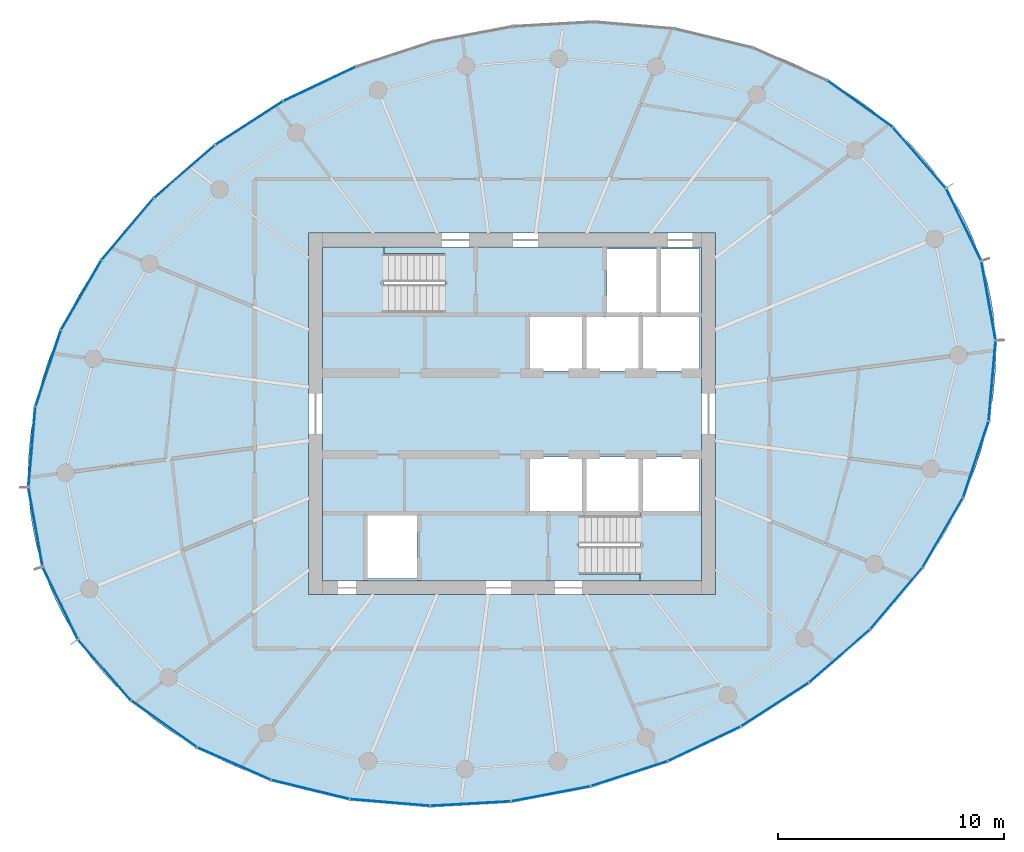
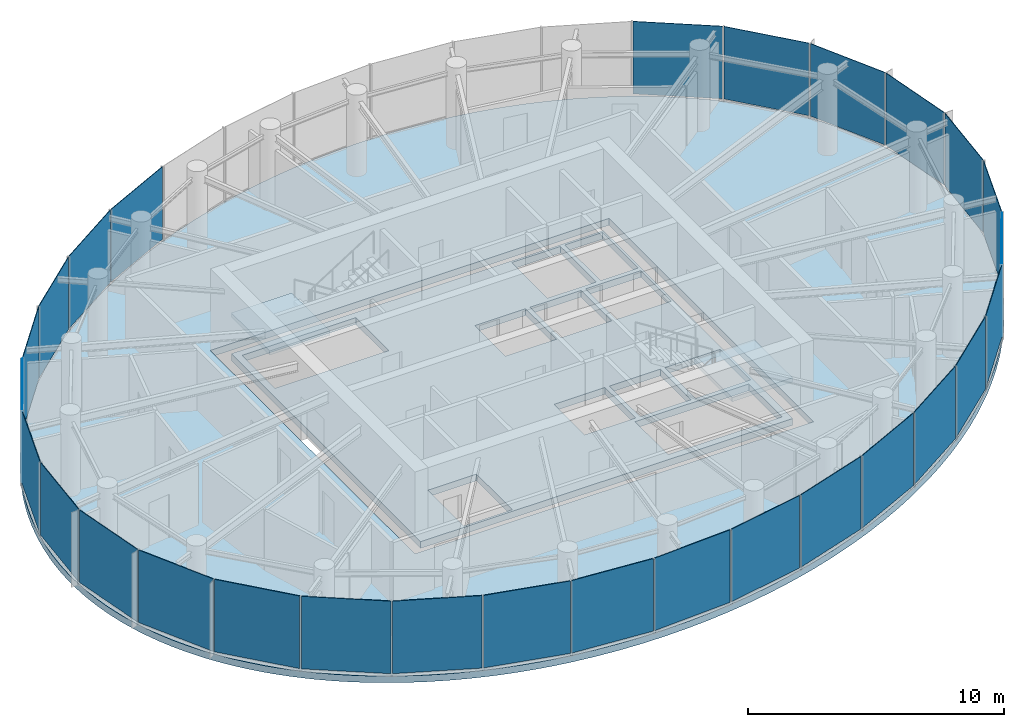
# One storey, part 7 of 13: 28 plates, 4 slabs, 8 elements without a shape of their own.
"""IFC4 building model written with IfcOpenShell, lengths in metres."""

from ifc_helpers import new_model, si_unit, direction, frame, origin, origin_2d, place, context, subcontext, project, spatial, line, indexed_curve, rectangle, outline, extrude, source, transform, mapped, material, layer, layer_set, type_object, element, aggregate, save


model = new_model("IFC4")

# Units and contexts
model_context = context("Model", 3, precision=1e-05, world=origin(), true_north=direction((0.0, 1.0)))
body_context = subcontext(model_context, "Body", "Model", "MODEL_VIEW")
ifc_project = project(units=[si_unit("LENGTHUNIT", "METRE"), si_unit("AREAUNIT", "SQUARE_METRE"), si_unit("VOLUMEUNIT", "CUBIC_METRE"), si_unit("PLANEANGLEUNIT", "RADIAN"), si_unit("MASSUNIT", "GRAM", prefix="KILO")], contexts=[model_context])

# Site, building, storey
site_placement = place(None, origin())
site = spatial("IfcSite", under=ifc_project, at=site_placement, CompositionType="ELEMENT")
building_placement = place(site_placement, origin())
building = spatial("IfcBuilding", under=site, at=building_placement, Name="Spindrift Exchange Tower", CompositionType="ELEMENT")
storey_placement = place(building_placement, frame((0.0, 0.0, 250.10009765625)))
storey = spatial("IfcBuildingStorey", under=building, at=storey_placement, Name="L61", CompositionType="ELEMENT", Elevation=250.10009765625)

# Slabs
ifc_material_1 = material(Name="Concrete 40 MPa", Category="concrete")
ifc_layer_1 = layer(ifc_material_1, 0.320068359375)
ifc_layer_set_1 = layer_set([ifc_layer_1], Name="RC Floor Slab 320 Concrete 40 MPa")
slab_type_1 = type_object("IfcSlabType", Name="RC Floor Slab 320 Concrete 40 MPa", PredefinedType="FLOOR", material=ifc_layer_set_1)
slab_1_placement = place(storey_placement, frame((0.0, 0.0, -0.320068359375)))
element("IfcSlab", 1, at=slab_1_placement, inside=storey, type_object=slab_type_1, Name="Floor slab L61", PredefinedType="FLOOR", context=body_context, shape_type="SweptSolid", body=[
    extrude(outline(indexed_curve([(72.784423828125, 54.77099609375), (72.67529296875, 55.091796875), (72.431884765625, 55.724609375), (72.15576171875, 56.343505859375), (71.847900390625, 56.947509765625), (71.509521484375, 57.53466796875), (71.329345703125, 57.82177734375), (70.947509765625, 58.381591796875), (70.74609375, 58.654541015625), (70.32421875, 59.184814453125), (69.876953125, 59.694091796875), (69.64453125, 59.94091796875), (69.162841796875, 60.417724609375), (68.66015625, 60.872314453125), (68.4013671875, 61.09130859375), (67.869873046875, 61.511962890625), (67.3212890625, 61.909912109375), (66.756591796875, 62.28466796875), (66.468505859375, 62.463623046875), (65.882568359375, 62.80419921875), (65.584716796875, 62.966064453125), (64.980224609375, 63.27294921875), (64.674072265625, 63.41796875), (64.0537109375, 63.691162109375), (63.739990234375, 63.819580078125), (63.106201171875, 64.06005859375), (62.786376953125, 64.172119140625), (62.141357421875, 64.380615234375), (61.81640625, 64.476806640625), (61.162109375, 64.65380859375), (60.50244140625, 64.81005859375), (60.1708984375, 64.880615234375), (59.83837890625, 64.9462890625), (59.170654296875, 65.062744140625), (58.163330078125, 65.20068359375), (57.151123046875, 65.2958984375), (56.1357421875, 65.349365234375), (55.119140625, 65.362060546875), (54.102783203125, 65.334716796875), (53.088134765625, 65.268310546875), (52.076904296875, 65.163818359375), (51.070068359375, 65.021728515625), (50.069091796875, 64.843017578125), (49.075439453125, 64.627685546875), (48.41748046875, 64.464599609375), (47.763671875, 64.28564453125), (46.79150390625, 63.988037109375), (45.83056640625, 63.65576171875), (45.19677734375, 63.415283203125), (44.569091796875, 63.15966796875), (43.63916015625, 62.748291015625), (42.72509765625, 62.30322265625), (41.82763671875, 61.824951171875), (40.948974609375, 61.313720703125), (40.08984375, 60.769775390625), (39.25244140625, 60.193115234375), (38.4384765625, 59.583984375), (37.6494140625, 58.942626953125), (36.887451171875, 58.26953125), (36.15478515625, 57.564697265625), (35.91748046875, 57.322509765625), (35.45361328125, 56.828369140625), (35.0048828125, 56.3203125), (34.786376953125, 56.06103515625), (34.36181640625, 55.53271484375), (34.156005859375, 55.263427734375), (33.75732421875, 54.715087890625), (33.56494140625, 54.436279296875), (33.194580078125, 53.86865234375), (33.0166015625, 53.580078125), (32.843994140625, 53.288330078125), (32.51416015625, 52.6962890625), (32.206298828125, 52.09228515625), (32.06103515625, 51.7861328125), (31.7880859375, 51.16552734375), (31.5400390625, 50.534912109375), (31.425537109375, 50.2158203125), (31.21630859375, 49.571044921875), (31.03466796875, 48.918212890625), (30.954345703125, 48.5888671875), (30.81591796875, 47.92529296875), (30.707763671875, 47.256103515625), (30.665283203125, 46.919921875), (30.60400390625, 46.244873046875), (30.5751953125, 45.567626953125), (30.5732421875, 45.228759765625), (30.594482421875, 44.55126953125), (30.617919921875, 44.213134765625), (30.6904296875, 43.539306640625), (30.79736328125, 42.8701171875), (30.93896484375, 42.20703125), (31.022705078125, 41.878662109375), (31.215576171875, 41.22900390625), (31.32470703125, 40.908203125), (31.568115234375, 40.275390625), (31.84423828125, 39.656494140625), (32.152099609375, 39.052490234375), (32.490478515625, 38.46533203125), (32.670654296875, 38.17822265625), (33.052490234375, 37.618408203125), (33.25390625, 37.345458984375), (33.67578125, 36.815185546875), (34.123046875, 36.305908203125), (34.35546875, 36.05908203125), (34.837158203125, 35.582275390625), (35.33984375, 35.127685546875), (35.5986328125, 34.90869140625), (36.130126953125, 34.488037109375), (36.6787109375, 34.090087890625), (37.243408203125, 33.71533203125), (37.531494140625, 33.536376953125), (38.117431640625, 33.19580078125), (38.415283203125, 33.033935546875), (39.019775390625, 32.72705078125), (39.325927734375, 32.58203125), (39.9462890625, 32.308837890625), (40.260009765625, 32.180419921875), (40.893798828125, 31.93994140625), (41.213623046875, 31.827880859375), (41.858642578125, 31.619384765625), (42.18359375, 31.523193359375), (42.837890625, 31.34619140625), (43.49755859375, 31.18994140625), (43.8291015625, 31.119384765625), (44.16162109375, 31.0537109375), (44.829345703125, 30.937255859375), (45.836669921875, 30.79931640625), (46.848876953125, 30.7041015625), (47.8642578125, 30.650634765625), (48.880859375, 30.637939453125), (49.897216796875, 30.665283203125), (50.911865234375, 30.731689453125), (51.923095703125, 30.836181640625), (52.929931640625, 30.978271484375), (53.930908203125, 31.156982421875), (54.924560546875, 31.372314453125), (55.58251953125, 31.535400390625), (56.236328125, 31.71435546875), (57.20849609375, 32.011962890625), (58.16943359375, 32.34423828125), (58.80322265625, 32.584716796875), (59.430908203125, 32.84033203125), (60.36083984375, 33.251708984375), (61.27490234375, 33.69677734375), (62.17236328125, 34.175048828125), (63.051025390625, 34.686279296875), (63.91015625, 35.230224609375), (64.74755859375, 35.806884765625), (65.5615234375, 36.416015625), (66.3505859375, 37.057373046875), (67.112548828125, 37.73046875), (67.84521484375, 38.435302734375), (68.08251953125, 38.677490234375), (68.54638671875, 39.171630859375), (68.9951171875, 39.6796875), (69.213623046875, 39.93896484375), (69.63818359375, 40.46728515625), (69.843994140625, 40.736572265625), (70.24267578125, 41.284912109375), (70.43505859375, 41.563720703125), (70.805419921875, 42.13134765625), (70.9833984375, 42.419921875), (71.323486328125, 43.006103515625), (71.48583984375, 43.3037109375), (71.793701171875, 43.90771484375), (71.93896484375, 44.2138671875), (72.2119140625, 44.83447265625), (72.4599609375, 45.465087890625), (72.574462890625, 45.7841796875), (72.78369140625, 46.428955078125), (72.96533203125, 47.081787109375), (73.045654296875, 47.4111328125), (73.18408203125, 48.07470703125), (73.292236328125, 48.743896484375), (73.334716796875, 49.080078125), (73.39599609375, 49.755126953125), (73.4248046875, 50.432373046875), (73.4267578125, 50.771240234375), (73.405517578125, 51.44873046875), (73.382080078125, 51.786865234375), (73.3095703125, 52.460693359375), (73.20263671875, 53.1298828125), (73.06103515625, 53.79296875), (72.977294921875, 54.121337890625)], segments=[line(1, 2, 3, 4, 5, 6, 7, 8, 9, 10, 11, 12, 13, 14, 15, 16, 17, 18, 19, 20, 21, 22, 23, 24, 25, 26, 27, 28, 29, 30, 31, 32, 33, 34, 35, 36, 37, 38, 39, 40, 41, 42, 43, 44, 45, 46, 47, 48, 49, 50, 51, 52, 53, 54, 55, 56, 57, 58, 59, 60, 61, 62, 63, 64, 65, 66, 67, 68, 69, 70, 71, 72, 73, 74, 75, 76, 77, 78, 79, 80, 81, 82, 83, 84, 85, 86, 87, 88, 89, 90, 91, 92, 93, 94, 95, 96, 97, 98, 99, 100, 101, 102, 103, 104, 105, 106, 107, 108, 109, 110, 111, 112, 113, 114, 115, 116, 117, 118, 119, 120, 121, 122, 123, 124, 125, 126, 127, 128, 129, 130, 131, 132, 133, 134, 135, 136, 137, 138, 139, 140, 141, 142, 143, 144, 145, 146, 147, 148, 149, 150, 151, 152, 153, 154, 155, 156, 157, 158, 159, 160, 161, 162, 163, 164, 165, 166, 167, 168, 169, 170, 171, 172, 173, 174, 175, 176, 177, 178, 179, 180, 181, 182, 183, 184, 1)], self_intersect=False), holes=[indexed_curve([(43.0, 40.0), (61.0, 40.0), (61.0, 56.0), (43.0, 56.0)], segments=[line(1, 2, 3, 4, 1)], self_intersect=False)]), origin(), (0.0, 0.0, 1.0), 0.320068359375),
])
ifc_material_2 = material(Name="Concrete 50 MPa", Category="concrete")
ifc_layer_2 = layer(ifc_material_2, 0.320068359375)
ifc_layer_set_2 = layer_set([ifc_layer_2], Name="SL-CORE-FLOOR-320")
slab_type_2 = type_object("IfcSlabType", Name="SL-CORE-FLOOR-320", PredefinedType="FLOOR", material=ifc_layer_set_2)
slab_2_placement = place(storey_placement, frame((0.0, 0.0, -0.320068359375)))
element("IfcSlab", 2, at=slab_2_placement, inside=storey, type_object=slab_type_2, Name="L61 Core floor slab", PredefinedType="FLOOR", context=body_context, shape_type="SweptSolid", body=[
    extrude(outline(indexed_curve([(43.60009765625, 40.60009765625), (43.60009765625, 55.39990234375), (60.39990234375, 55.39990234375), (60.39990234375, 40.60009765625)], segments=[line(1, 2, 3, 4, 1)], self_intersect=False), holes=[indexed_curve([(45.60009765625, 43.5), (45.60009765625, 40.699951171875), (47.800048828125, 40.699951171875), (47.800048828125, 43.5)], segments=[line(1, 2, 3, 4, 1)], self_intersect=False), indexed_curve([(52.800048828125, 46.10009765625), (52.800048828125, 43.699951171875), (55.10009765625, 43.699951171875), (55.10009765625, 46.10009765625)], segments=[line(1, 2, 3, 4, 1)], self_intersect=False), indexed_curve([(55.300048828125, 46.10009765625), (55.300048828125, 43.699951171875), (57.60009765625, 43.699951171875), (57.60009765625, 46.10009765625)], segments=[line(1, 2, 3, 4, 1)], self_intersect=False), indexed_curve([(55.10009765625, 52.300048828125), (52.800048828125, 52.300048828125), (52.800048828125, 49.89990234375), (55.10009765625, 49.89990234375)], segments=[line(1, 2, 3, 4, 1)], self_intersect=False), indexed_curve([(57.60009765625, 52.300048828125), (55.300048828125, 52.300048828125), (55.300048828125, 49.89990234375), (57.60009765625, 49.89990234375)], segments=[line(1, 2, 3, 4, 1)], self_intersect=False), indexed_curve([(43.906005859375, 52.506103515625), (49.0439453125, 52.506103515625), (49.0439453125, 55.093994140625), (43.906005859375, 55.093994140625)], segments=[line(1, 2, 3, 4, 1)], self_intersect=False), indexed_curve([(60.093994140625, 40.906005859375), (60.093994140625, 43.493896484375), (54.9560546875, 43.493896484375), (54.9560546875, 40.906005859375)], segments=[line(1, 2, 3, 4, 1)], self_intersect=False), indexed_curve([(60.300048828125, 46.10009765625), (57.800048828125, 46.10009765625), (57.800048828125, 43.699951171875), (60.300048828125, 43.699951171875)], segments=[line(1, 2, 3, 4, 1)], self_intersect=False), indexed_curve([(57.800048828125, 52.300048828125), (57.800048828125, 49.89990234375), (60.300048828125, 49.89990234375), (60.300048828125, 52.300048828125)], segments=[line(1, 2, 3, 4, 1)], self_intersect=False), indexed_curve([(58.39990234375, 55.300048828125), (56.199951171875, 55.300048828125), (56.199951171875, 52.5), (58.39990234375, 52.5)], segments=[line(1, 2, 3, 4, 1)], self_intersect=False), indexed_curve([(60.300048828125, 55.300048828125), (58.60009765625, 55.300048828125), (58.60009765625, 52.5), (60.300048828125, 52.5)], segments=[line(1, 2, 3, 4, 1)], self_intersect=False)]), origin(), (0.0, 0.0, 1.0), 0.320068359375),
])

# Stair, slab
stair_type = type_object("IfcStairType", Name="ST-1250-R177", PredefinedType="HALF_TURN_STAIR", material=ifc_material_2)
stair_1_placement = place(storey_placement, origin())
stair_1 = element("IfcStair", 3, at=stair_1_placement, inside=storey, type_object=stair_type, Name="L61 Exit stair ST1", PredefinedType="HALF_TURN_STAIR")
ifc_layer_3 = layer(ifc_material_2, 0.199951171875)
ifc_layer_set_3 = layer_set([ifc_layer_3], Name="SL-LANDING")
slab_type_3 = type_object("IfcSlabType", Name="SL-LANDING", PredefinedType="LANDING", material=ifc_layer_set_3)
slab_3_placement = place(storey_placement, frame((0.0, 0.0, 1.75)))
slab_3 = element("IfcSlab", 4, at=slab_3_placement, type_object=slab_type_3, Name="ST1 landing 1", PredefinedType="LANDING", context=body_context, shape_type="SweptSolid", body=[
    extrude(outline(indexed_curve([(46.330078125, 52.39990234375), (43.60009765625, 52.39990234375), (43.60009765625, 55.39990234375), (46.330078125, 55.39990234375)], segments=[line(1, 2, 3, 4, 1)], self_intersect=False)), origin(), (0.0, 0.0, 1.0), 0.199951171875),
])
aggregate(stair_1, [slab_3])

stair_2_placement = place(storey_placement, origin())
stair_2 = element("IfcStair", 5, at=stair_2_placement, inside=storey, type_object=stair_type, Name="L61 Exit stair ST2", PredefinedType="HALF_TURN_STAIR")
slab_4_placement = place(storey_placement, frame((0.0, 0.0, 1.75)))
slab_4 = element("IfcSlab", 6, at=slab_4_placement, type_object=slab_type_3, Name="ST2 landing 1", PredefinedType="LANDING", context=body_context, shape_type="SweptSolid", body=[
    extrude(outline(indexed_curve([(57.669921875, 43.60009765625), (60.39990234375, 43.60009765625), (60.39990234375, 40.60009765625), (57.669921875, 40.60009765625)], segments=[line(1, 2, 3, 4, 1)], self_intersect=False)), origin(), (0.0, 0.0, 1.0), 0.199951171875),
])
aggregate(stair_2, [slab_4])

# Curtain wall, plate
ifc_material_3 = material(Name="Fritted laminated glass with bronze frame", Category="glass")
ifc_layer_4 = layer(ifc_material_3, 0.159912109375)
ifc_layer_set_4 = layer_set([ifc_layer_4], Name="ZONE 5 BRONZE FRITTED WALL")
curtain_wall_type = type_object("IfcCurtainWallType", Name="ZONE 5 BRONZE FRITTED WALL", PredefinedType="NOTDEFINED", material=ifc_layer_set_4)
curtain_wall_1_placement = place(storey_placement, origin())
curtain_wall_1 = element("IfcCurtainWall", 7, at=curtain_wall_1_placement, inside=storey, type_object=curtain_wall_type, Name="L61 Zone 5 Bronze Fritted Wall run 2", PredefinedType="NOTDEFINED")
ifc_material_4 = material(Name="Bronze fritted laminated glass, open frit", Category="glass")
ifc_layer_5 = layer(ifc_material_4, 0.028076171875)
ifc_layer_set_5 = layer_set([ifc_layer_5], Name="ZONE 5 BRONZE FRITTED WALL PANEL OPEN FRIT 480")
plate_type_1 = type_object("IfcPlateType", Name="ZONE 5 BRONZE FRITTED WALL PANEL OPEN FRIT 480", PredefinedType="CURTAIN_PANEL", material=ifc_layer_set_5)
shared_shape_1 = source(origin(), body_context, "Body", "SweptSolid", [
    extrude(rectangle(XDim=3.52587890625, YDim=0.028076171875, at=origin_2d()), origin(), (0.0, 0.0, 1.0), 3.4599609375),
])
plate_1_placement = place(storey_placement, frame((40.3564453125, 60.871337890625, 0.119873046875), z_axis=(0.0, 0.0, 1.0), x_axis=(-0.839985609016, -0.542608677268, 0.0)))
plate_1 = element("IfcPlate", 8, at=plate_1_placement, type_object=plate_type_1, Name="L61 panel CW-5.11", PredefinedType="CURTAIN_PANEL", context=body_context, shape_type="MappedRepresentation", body=[
    mapped(shared_shape_1, transform((0.0, 0.0, 0.0), scale=1.0)),
])

# Curtain wall, plates
curtain_wall_2_placement = place(storey_placement, origin())
curtain_wall_2 = element("IfcCurtainWall", 9, at=curtain_wall_2_placement, inside=storey, type_object=curtain_wall_type, Name="L61 Zone 5 Bronze Fritted Wall run 5", PredefinedType="NOTDEFINED")
plate_2_placement = place(storey_placement, frame((63.6435546875, 35.128662109375, 0.119873046875), z_axis=(0.0, 0.0, 1.0), x_axis=(0.839985609016, 0.542608677268, 0.0)))
plate_2 = element("IfcPlate", 10, at=plate_2_placement, type_object=plate_type_1, Name="L61 panel CW-5.28", PredefinedType="CURTAIN_PANEL", context=body_context, shape_type="MappedRepresentation", body=[
    mapped(shared_shape_1, transform((0.0, 0.0, 0.0), scale=1.0)),
])
ifc_layer_6 = layer(ifc_material_4, 0.028076171875)
ifc_layer_set_6 = layer_set([ifc_layer_6], Name="ZONE 5 BRONZE FRITTED WALL PANEL OPEN FRIT 600")
plate_type_2 = type_object("IfcPlateType", Name="ZONE 5 BRONZE FRITTED WALL PANEL OPEN FRIT 600", PredefinedType="CURTAIN_PANEL", material=ifc_layer_set_6)
shared_shape_2 = source(origin(), body_context, "Body", "SweptSolid", [
    extrude(rectangle(XDim=3.526123046875, YDim=0.028076171875, at=origin_2d()), origin(), (0.0, 0.0, 1.0), 3.4599609375),
])
plate_3_placement = place(storey_placement, frame((53.724365234375, 31.17578125, 0.119873046875), z_axis=(0.0, 0.0, 1.0), x_axis=(0.982419783193, 0.186685215243, 0.0)))
plate_3 = element("IfcPlate", 11, at=plate_3_placement, type_object=plate_type_2, Name="L61 panel CW-5.25", PredefinedType="CURTAIN_PANEL", context=body_context, shape_type="MappedRepresentation", body=[
    mapped(shared_shape_2, transform((0.0, 0.0, 0.0), scale=1.0)),
])

# Plate
shared_shape_3 = source(origin(), body_context, "Body", "SweptSolid", [
    extrude(rectangle(XDim=3.525390625, YDim=0.028076171875, at=origin_2d()), origin(), (0.0, 0.0, 1.0), 3.4599609375),
])
plate_4_placement = place(storey_placement, frame((37.49560546875, 58.724609375, 0.119873046875), z_axis=(0.0, 0.0, 1.0), x_axis=(-0.75574489864, -0.654866129968, 0.0)))
plate_4 = element("IfcPlate", 12, at=plate_4_placement, type_object=plate_type_2, Name="L61 panel CW-5.12", PredefinedType="CURTAIN_PANEL", context=body_context, shape_type="MappedRepresentation", body=[
    mapped(shared_shape_3, transform((0.0, 0.0, 0.0), scale=1.0)),
])

# Curtain wall, plate
curtain_wall_3_placement = place(storey_placement, origin())
curtain_wall_3 = element("IfcCurtainWall", 13, at=curtain_wall_3_placement, inside=storey, type_object=curtain_wall_type, Name="L61 Zone 5 Bronze Fritted Wall run 4", PredefinedType="NOTDEFINED")
plate_5_placement = place(storey_placement, frame((46.595947265625, 30.789794921875, 0.119873046875), z_axis=(0.0, 0.0, 1.0), x_axis=(0.996463002829, -0.084032636481, 0.0)))
plate_5 = element("IfcPlate", 14, at=plate_5_placement, type_object=plate_type_2, Name="L61 panel CW-5.23", PredefinedType="CURTAIN_PANEL", context=body_context, shape_type="MappedRepresentation", body=[
    mapped(shared_shape_3, transform((0.0, 0.0, 0.0), scale=1.0)),
])

# Plate
plate_6_placement = place(storey_placement, frame((66.50439453125, 37.275390625, 0.119873046875), z_axis=(0.0, 0.0, 1.0), x_axis=(0.75574489864, 0.654866129968, 0.0)))
plate_6 = element("IfcPlate", 15, at=plate_6_placement, type_object=plate_type_2, Name="L61 panel CW-5.29", PredefinedType="CURTAIN_PANEL", context=body_context, shape_type="MappedRepresentation", body=[
    mapped(shared_shape_3, transform((0.0, 0.0, 0.0), scale=1.0)),
])

# Curtain wall, plate
curtain_wall_4_placement = place(storey_placement, origin())
curtain_wall_4 = element("IfcCurtainWall", 16, at=curtain_wall_4_placement, inside=storey, type_object=curtain_wall_type, Name="L61 Zone 5 Bronze Fritted Wall run 3", PredefinedType="NOTDEFINED")
shared_shape_4 = source(origin(), body_context, "Body", "SweptSolid", [
    extrude(rectangle(XDim=3.5234375, YDim=0.028076171875, at=origin_2d()), origin(), (0.0, 0.0, 1.0), 3.4599609375),
])
plate_7_placement = place(storey_placement, frame((32.927001953125, 53.26318359375, 0.119873046875), z_axis=(0.0, 0.0, 1.0), x_axis=(-0.501948565385, -0.864897472368, 0.0)))
plate_7 = element("IfcPlate", 17, at=plate_7_placement, type_object=plate_type_1, Name="L61 panel CW-5.14", PredefinedType="CURTAIN_PANEL", context=body_context, shape_type="MappedRepresentation", body=[
    mapped(shared_shape_4, transform((0.0, 0.0, 0.0), scale=1.0)),
])

# Plate
plate_8_placement = place(storey_placement, frame((39.6875, 32.51220703125, 0.119873046875), z_axis=(0.0, 0.0, 1.0), x_axis=(0.915078658027, -0.403275401709, 0.0)))
plate_8 = element("IfcPlate", 18, at=plate_8_placement, type_object=plate_type_1, Name="L61 panel CW-5.21", PredefinedType="CURTAIN_PANEL", context=body_context, shape_type="MappedRepresentation", body=[
    mapped(shared_shape_4, transform((0.0, 0.0, 0.0), scale=1.0)),
])

ifc_layer_7 = layer(ifc_material_4, 0.028076171875)
ifc_layer_set_7 = layer_set([ifc_layer_7], Name="ZONE 5 BRONZE FRITTED WALL PANEL OPEN FRIT 360")
plate_type_3 = type_object("IfcPlateType", Name="ZONE 5 BRONZE FRITTED WALL PANEL OPEN FRIT 360", PredefinedType="CURTAIN_PANEL", material=ifc_layer_set_7)
shared_shape_5 = source(origin(), body_context, "Body", "SweptSolid", [
    extrude(rectangle(XDim=3.521484375, YDim=0.028076171875, at=origin_2d()), origin(), (0.0, 0.0, 1.0), 3.4599609375),
])
plate_9_placement = place(storey_placement, frame((31.460693359375, 50.014892578125, 0.119873046875), z_axis=(0.0, 0.0, 1.0), x_axis=(-0.316596169299, -0.948560417467, 0.0)))
plate_9 = element("IfcPlate", 19, at=plate_9_placement, type_object=plate_type_3, Name="L61 panel CW-5.15", PredefinedType="CURTAIN_PANEL", context=body_context, shape_type="MappedRepresentation", body=[
    mapped(shared_shape_5, transform((0.0, 0.0, 0.0), scale=1.0)),
])

# Curtain wall, plate
curtain_wall_5_placement = place(storey_placement, origin())
curtain_wall_5 = element("IfcCurtainWall", 20, at=curtain_wall_5_placement, inside=storey, type_object=curtain_wall_type, Name="L61 Zone 5 Bronze Fritted Wall run 1", PredefinedType="NOTDEFINED")
shared_shape_6 = source(origin(), body_context, "Body", "SweptSolid", [
    extrude(rectangle(XDim=3.519287109375, YDim=0.028076171875, at=origin_2d()), origin(), (0.0, 0.0, 1.0), 3.4599609375),
])
plate_10_placement = place(storey_placement, frame((70.044921875, 59.338134765625, 0.119873046875), z_axis=(0.0, 0.0, 1.0), x_axis=(-0.656612083693, 0.75422846111, 0.0)))
plate_10 = element("IfcPlate", 21, at=plate_10_placement, type_object=plate_type_2, Name="L61 panel CW-5.2", PredefinedType="CURTAIN_PANEL", context=body_context, shape_type="MappedRepresentation", body=[
    mapped(shared_shape_6, transform((0.0, 0.0, 0.0), scale=1.0)),
])

# Plate
plate_11_placement = place(storey_placement, frame((33.955078125, 36.661865234375, 0.119873046875), z_axis=(0.0, 0.0, 1.0), x_axis=(0.656612083693, -0.75422846111, 0.0)))
plate_11 = element("IfcPlate", 22, at=plate_11_placement, type_object=plate_type_2, Name="L61 panel CW-5.19", PredefinedType="CURTAIN_PANEL", context=body_context, shape_type="MappedRepresentation", body=[
    mapped(shared_shape_6, transform((0.0, 0.0, 0.0), scale=1.0)),
])

shared_shape_7 = source(origin(), body_context, "Body", "SweptSolid", [
    extrude(rectangle(XDim=3.519287109375, YDim=0.028076171875, at=origin_2d()), origin(), (0.0, 0.0, 1.0), 3.4599609375),
])
plate_12_placement = place(storey_placement, frame((30.7392578125, 46.533203125, 0.119873046875), z_axis=(0.0, 0.0, 1.0), x_axis=(-0.08635765719, -0.996264199419, 0.0)))
plate_12 = element("IfcPlate", 23, at=plate_12_placement, type_object=plate_type_3, Name="L61 panel CW-5.16", PredefinedType="CURTAIN_PANEL", context=body_context, shape_type="MappedRepresentation", body=[
    mapped(shared_shape_7, transform((0.0, 0.0, 0.0), scale=1.0)),
])

shared_shape_8 = source(origin(), body_context, "Body", "SweptSolid", [
    extrude(rectangle(XDim=3.521484375, YDim=0.028076171875, at=origin_2d()), origin(), (0.0, 0.0, 1.0), 3.4599609375),
])
plate_13_placement = place(storey_placement, frame((67.410888671875, 61.726806640625, 0.119873046875), z_axis=(0.0, 0.0, 1.0), x_axis=(-0.81459463483, 0.580030672383, 0.0)))
plate_13 = element("IfcPlate", 24, at=plate_13_placement, type_object=plate_type_2, Name="L61 panel CW-5.3", PredefinedType="CURTAIN_PANEL", context=body_context, shape_type="MappedRepresentation", body=[
    mapped(shared_shape_8, transform((0.0, 0.0, 0.0), scale=1.0)),
])

plate_14_placement = place(storey_placement, frame((36.589111328125, 34.273193359375, 0.119873046875), z_axis=(0.0, 0.0, 1.0), x_axis=(0.81459463483, -0.580030672383, 0.0)))
plate_14 = element("IfcPlate", 25, at=plate_14_placement, type_object=plate_type_2, Name="L61 panel CW-5.20", PredefinedType="CURTAIN_PANEL", context=body_context, shape_type="MappedRepresentation", body=[
    mapped(shared_shape_8, transform((0.0, 0.0, 0.0), scale=1.0)),
])

# Curtain wall, plate
curtain_wall_6_placement = place(storey_placement, origin())
curtain_wall_6 = element("IfcCurtainWall", 26, at=curtain_wall_6_placement, inside=storey, type_object=curtain_wall_type, Name="L61 Zone 5 Bronze Fritted Wall run 6", PredefinedType="NOTDEFINED")
shared_shape_9 = source(origin(), body_context, "Body", "SweptSolid", [
    extrude(rectangle(XDim=3.5234375, YDim=0.028076171875, at=origin_2d()), origin(), (0.0, 0.0, 1.0), 3.4599609375),
])
plate_15_placement = place(storey_placement, frame((71.072998046875, 42.73681640625, 0.119873046875), z_axis=(0.0, 0.0, 1.0), x_axis=(0.501948565385, 0.864897472368, 0.0)))
plate_15 = element("IfcPlate", 27, at=plate_15_placement, type_object=plate_type_3, Name="L61 panel CW-5.31", PredefinedType="CURTAIN_PANEL", context=body_context, shape_type="MappedRepresentation", body=[
    mapped(shared_shape_9, transform((0.0, 0.0, 0.0), scale=1.0)),
])

# Plate
shared_shape_10 = source(origin(), body_context, "Body", "SweptSolid", [
    extrude(rectangle(XDim=3.5263671875, YDim=0.028076171875, at=origin_2d()), origin(), (0.0, 0.0, 1.0), 3.4599609375),
])
plate_16_placement = place(storey_placement, frame((43.4833984375, 62.611572265625, 0.119873046875), z_axis=(0.0, 0.0, 1.0), x_axis=(-0.903850447752, -0.427848534062, 0.0)))
plate_16 = element("IfcPlate", 28, at=plate_16_placement, type_object=plate_type_1, Name="L61 panel CW-5.10", PredefinedType="CURTAIN_PANEL", context=body_context, shape_type="MappedRepresentation", body=[
    mapped(shared_shape_10, transform((0.0, 0.0, 0.0), scale=1.0)),
])

aggregate(curtain_wall_1, [plate_16, plate_1, plate_4])

plate_17_placement = place(storey_placement, frame((57.19091796875, 32.06591796875, 0.119873046875), z_axis=(0.0, 0.0, 1.0), x_axis=(0.950822171479, 0.309737305188, 0.0)))
plate_17 = element("IfcPlate", 29, at=plate_17_placement, type_object=plate_type_1, Name="L61 panel CW-5.26", PredefinedType="CURTAIN_PANEL", context=body_context, shape_type="MappedRepresentation", body=[
    mapped(shared_shape_10, transform((0.0, 0.0, 0.0), scale=1.0)),
])

plate_18_placement = place(storey_placement, frame((60.5166015625, 33.388427734375, 0.119873046875), z_axis=(0.0, 0.0, 1.0), x_axis=(0.903850447752, 0.427848534062, 0.0)))
plate_18 = element("IfcPlate", 30, at=plate_18_placement, type_object=plate_type_1, Name="L61 panel CW-5.27", PredefinedType="CURTAIN_PANEL", context=body_context, shape_type="MappedRepresentation", body=[
    mapped(shared_shape_10, transform((0.0, 0.0, 0.0), scale=1.0)),
])

shared_shape_11 = source(origin(), body_context, "Body", "SweptSolid", [
    extrude(rectangle(XDim=3.526123046875, YDim=0.028076171875, at=origin_2d()), origin(), (0.0, 0.0, 1.0), 3.4599609375),
])
plate_19_placement = place(storey_placement, frame((50.172607421875, 30.739990234375, 0.119873046875), z_axis=(0.0, 0.0, 1.0), x_axis=(0.998415428603, 0.056272834713, 0.0)))
plate_19 = element("IfcPlate", 31, at=plate_19_placement, type_object=plate_type_3, Name="L61 panel CW-5.24", PredefinedType="CURTAIN_PANEL", context=body_context, shape_type="MappedRepresentation", body=[
    mapped(shared_shape_11, transform((0.0, 0.0, 0.0), scale=1.0)),
])

shared_shape_12 = source(origin(), body_context, "Body", "SweptSolid", [
    extrude(rectangle(XDim=3.517578125, YDim=0.028076171875, at=origin_2d()), origin(), (0.0, 0.0, 1.0), 3.4599609375),
])
plate_20_placement = place(storey_placement, frame((72.002197265625, 56.3798828125, 0.119873046875), z_axis=(0.0, 0.0, 1.0), x_axis=(-0.437313545625, 0.899309103041, 0.0)))
plate_20 = element("IfcPlate", 32, at=plate_20_placement, type_object=plate_type_3, Name="L61 panel CW-5.1", PredefinedType="CURTAIN_PANEL", context=body_context, shape_type="MappedRepresentation", body=[
    mapped(shared_shape_12, transform((0.0, 0.0, 0.0), scale=1.0)),
])

aggregate(curtain_wall_5, [plate_20, plate_10, plate_13])

shared_shape_13 = source(origin(), body_context, "Body", "SweptSolid", [
    extrude(rectangle(XDim=3.519287109375, YDim=0.028076171875, at=origin_2d()), origin(), (0.0, 0.0, 1.0), 3.4599609375),
])
plate_21_placement = place(storey_placement, frame((73.2607421875, 49.466796875, 0.119873046875), z_axis=(0.0, 0.0, 1.0), x_axis=(0.08635765719, 0.996264199419, 0.0)))
plate_21 = element("IfcPlate", 33, at=plate_21_placement, type_object=plate_type_1, Name="L61 panel CW-5.33", PredefinedType="CURTAIN_PANEL", context=body_context, shape_type="MappedRepresentation", body=[
    mapped(shared_shape_13, transform((0.0, 0.0, 0.0), scale=1.0)),
])

shared_shape_14 = source(origin(), body_context, "Body", "SweptSolid", [
    extrude(rectangle(XDim=3.52490234375, YDim=0.028076171875, at=origin_2d()), origin(), (0.0, 0.0, 1.0), 3.4599609375),
])
plate_22_placement = place(storey_placement, frame((69.016357421875, 39.818359375, 0.119873046875), z_axis=(0.0, 0.0, 1.0), x_axis=(0.645596316947, 0.76367885629, 0.0)))
plate_22 = element("IfcPlate", 34, at=plate_22_placement, type_object=plate_type_3, Name="L61 panel CW-5.30", PredefinedType="CURTAIN_PANEL", context=body_context, shape_type="MappedRepresentation", body=[
    mapped(shared_shape_14, transform((0.0, 0.0, 0.0), scale=1.0)),
])

aggregate(curtain_wall_2, [plate_3, plate_17, plate_18, plate_2, plate_6, plate_22])

shared_shape_15 = source(origin(), body_context, "Body", "SweptSolid", [
    extrude(rectangle(XDim=3.521484375, YDim=0.028076171875, at=origin_2d()), origin(), (0.0, 0.0, 1.0), 3.4599609375),
])
plate_23_placement = place(storey_placement, frame((72.539306640625, 45.985107421875, 0.119873046875), z_axis=(0.0, 0.0, 1.0), x_axis=(0.316596169299, 0.948560417467, 0.0)))
plate_23 = element("IfcPlate", 35, at=plate_23_placement, type_object=plate_type_1, Name="L61 panel CW-5.32", PredefinedType="CURTAIN_PANEL", context=body_context, shape_type="MappedRepresentation", body=[
    mapped(shared_shape_15, transform((0.0, 0.0, 0.0), scale=1.0)),
])

shared_shape_16 = source(origin(), body_context, "Body", "SweptSolid", [
    extrude(rectangle(XDim=3.517578125, YDim=0.028076171875, at=origin_2d()), origin(), (0.0, 0.0, 1.0), 3.4599609375),
])
plate_24_placement = place(storey_placement, frame((30.900146484375, 42.989501953125, 0.119873046875), z_axis=(0.0, 0.0, 1.0), x_axis=(0.176349495956, -0.984327615825, 0.0)))
plate_24 = element("IfcPlate", 36, at=plate_24_placement, type_object=plate_type_2, Name="L61 panel CW-5.17", PredefinedType="CURTAIN_PANEL", context=body_context, shape_type="MappedRepresentation", body=[
    mapped(shared_shape_16, transform((0.0, 0.0, 0.0), scale=1.0)),
])

plate_25_placement = place(storey_placement, frame((31.997802734375, 39.6201171875, 0.119873046875), z_axis=(0.0, 0.0, 1.0), x_axis=(0.437313545625, -0.899309103041, 0.0)))
plate_25 = element("IfcPlate", 37, at=plate_25_placement, type_object=plate_type_2, Name="L61 panel CW-5.18", PredefinedType="CURTAIN_PANEL", context=body_context, shape_type="MappedRepresentation", body=[
    mapped(shared_shape_16, transform((0.0, 0.0, 0.0), scale=1.0)),
])

plate_26_placement = place(storey_placement, frame((73.099853515625, 53.010498046875, 0.119873046875), z_axis=(0.0, 0.0, 1.0), x_axis=(-0.176349495956, 0.984327615825, 0.0)))
plate_26 = element("IfcPlate", 38, at=plate_26_placement, type_object=plate_type_2, Name="L61 panel CW-5.34", PredefinedType="CURTAIN_PANEL", context=body_context, shape_type="MappedRepresentation", body=[
    mapped(shared_shape_16, transform((0.0, 0.0, 0.0), scale=1.0)),
])

aggregate(curtain_wall_6, [plate_15, plate_23, plate_21, plate_26])

shared_shape_17 = source(origin(), body_context, "Body", "SweptSolid", [
    extrude(rectangle(XDim=3.524658203125, YDim=0.028076171875, at=origin_2d()), origin(), (0.0, 0.0, 1.0), 3.4599609375),
])
plate_27_placement = place(storey_placement, frame((43.068359375, 31.364990234375, 0.119873046875), z_axis=(0.0, 0.0, 1.0), x_axis=(0.971548706636, -0.236839841738, 0.0)))
plate_27 = element("IfcPlate", 39, at=plate_27_placement, type_object=plate_type_1, Name="L61 panel CW-5.22", PredefinedType="CURTAIN_PANEL", context=body_context, shape_type="MappedRepresentation", body=[
    mapped(shared_shape_17, transform((0.0, 0.0, 0.0), scale=1.0)),
])

aggregate(curtain_wall_3, [plate_11, plate_14, plate_8, plate_27, plate_5, plate_19])

shared_shape_18 = source(origin(), body_context, "Body", "SweptSolid", [
    extrude(rectangle(XDim=3.52490234375, YDim=0.028076171875, at=origin_2d()), origin(), (0.0, 0.0, 1.0), 3.4599609375),
])
plate_28_placement = place(storey_placement, frame((34.983642578125, 56.181640625, 0.119873046875), z_axis=(0.0, 0.0, 1.0), x_axis=(-0.645596316947, -0.76367885629, 0.0)))
plate_28 = element("IfcPlate", 40, at=plate_28_placement, type_object=plate_type_1, Name="L61 panel CW-5.13", PredefinedType="CURTAIN_PANEL", context=body_context, shape_type="MappedRepresentation", body=[
    mapped(shared_shape_18, transform((0.0, 0.0, 0.0), scale=1.0)),
])

aggregate(curtain_wall_4, [plate_28, plate_7, plate_9, plate_12, plate_24, plate_25])

save(model, "model.ifc")
